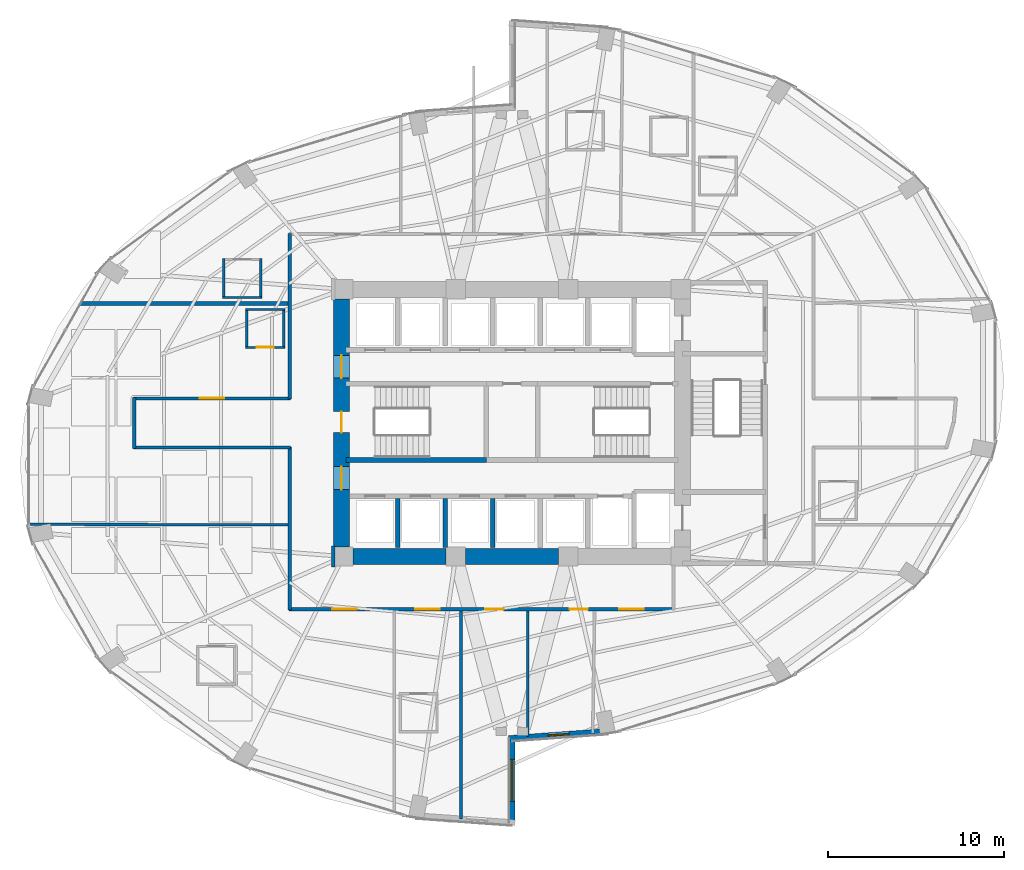
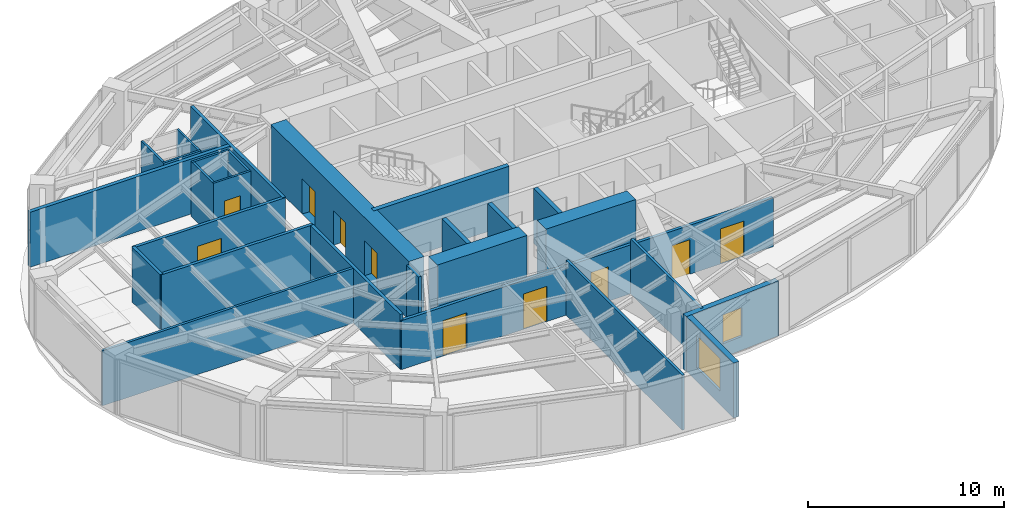
# One storey, part 20 of 25: 27 walls, 10 doors, 2 windows, 12 openings.
"""IFC4 building model written with IfcOpenShell, lengths in metres."""

from ifc_helpers import new_model, si_unit, direction, frame, frame_2d, origin, place, context, subcontext, project, spatial, rectangle, extrude, material, layer, layer_set, type_object, element, fill, save


model = new_model("IFC4")

# Units and contexts
model_context = context("Model", 3, precision=1e-05, world=origin(), true_north=direction((0.0, 1.0)))
body_context = subcontext(model_context, "Body", "Model", "MODEL_VIEW")
ifc_project = project(units=[si_unit("LENGTHUNIT", "METRE"), si_unit("AREAUNIT", "SQUARE_METRE"), si_unit("VOLUMEUNIT", "CUBIC_METRE"), si_unit("PLANEANGLEUNIT", "RADIAN"), si_unit("MASSUNIT", "GRAM", prefix="KILO")], contexts=[model_context])

# Site, building, storey
site_placement = place(None, origin())
site = spatial("IfcSite", under=ifc_project, at=site_placement, CompositionType="ELEMENT")
building_placement = place(site_placement, origin())
building = spatial("IfcBuilding", under=site, at=building_placement, Name="Lazwardi Medical Tower", CompositionType="ELEMENT")
storey_placement = place(building_placement, frame((0.0, 0.0, 28.847900390625)))
storey = spatial("IfcBuildingStorey", under=building, at=storey_placement, Name="L06", CompositionType="ELEMENT", Elevation=28.847900390625)

# Wall
ifc_material_1 = material(Name="Fire-rated gypsum board on steel stud", Category="steel")
ifc_layer_1 = layer(ifc_material_1, 0.179931640625)
ifc_layer_set_1 = layer_set([ifc_layer_1], Name="Fire-rated gypsum board on steel stud")
wall_type_1 = type_object("IfcWallType", Name="WL-COR-180", PredefinedType="PARTITIONING", material=ifc_layer_set_1)
wall_1_placement = place(storey_placement, frame((14.5, 26.56005859375, 0.0), z_axis=(0.0, 0.0, 1.0), x_axis=(0.0, 1.0, 0.0)))
element("IfcWall", 1, at=wall_1_placement, inside=storey, type_object=wall_type_1, Name="L06 Corridor partition 1", PredefinedType="PARTITIONING", context=body_context, shape_type="SweptSolid", body=[
    extrude(rectangle(XDim=2.8798828125, YDim=0.179931640625, at=frame_2d((1.43994140625, 0.0))), origin(), (0.0, 0.0, 1.0), 3.427978515625),
])

# Wall, opening, door
wall_2_placement = place(storey_placement, frame((14.4599609375, 29.39990234375, 0.0), z_axis=(0.0, 0.0, 1.0), x_axis=(1.0, 0.0, 0.0)))
wall_2 = element("IfcWall", 2, at=wall_2_placement, inside=storey, type_object=wall_type_1, Name="L06 Corridor partition 2", PredefinedType="PARTITIONING", context=body_context, shape_type="SweptSolid", body=[
    extrude(rectangle(XDim=8.929931640625, YDim=0.179931640625, at=frame_2d((4.46484375, 0.0))), origin(), (0.0, 0.0, 1.0), 3.427978515625),
])
opening_1_placement = place(wall_2_placement, frame((3.764892578125, 0.0, 0.0)))
opening_1 = element("IfcOpeningElement", 3, at=opening_1_placement, cuts=wall_2, Name="Opening D-L06-026", PredefinedType="OPENING", context=body_context, shape_type="SweptSolid", body=[
    extrude(rectangle(XDim=1.39990234375, YDim=2.199951171875, at=frame_2d((0.699951171875, 1.10009765625))), frame((0.0, 0.099853515625, 0.0), z_axis=(0.0, -1.0, 0.0), x_axis=(1.0, 0.0, 0.0)), (0.0, 0.0, 1.0), 0.199951171875),
])
ifc_material_2 = material(Name="Anti-microbial laminate hospital leaf")
door_type_1 = type_object("IfcDoorType", Name="DR-BED-1400", OperationType="NOTDEFINED", PredefinedType="DOOR", material=ifc_material_2)
door_1_placement = place(opening_1_placement, origin())
door_1 = element("IfcDoor", 4, at=door_1_placement, inside=storey, type_object=door_type_1, Name="L06 Inpatient Ward Door 13", OperationType="SINGLE_SWING_RIGHT", OverallHeight=2.199951171875, OverallWidth=1.39990234375, PredefinedType="DOOR", context=body_context, shape_type="SweptSolid", body=[
    extrude(rectangle(XDim=1.39990234375, YDim=2.199951171875, at=frame_2d((0.699951171875, 1.10009765625))), frame((0.0, 0.02490234375, 0.0), z_axis=(0.0, -1.0, 0.0), x_axis=(1.0, 0.0, 0.0)), (0.0, 0.0, 1.0), 0.050048828125),
])
fill(opening_1, door_1)

# Walls
wall_3_placement = place(storey_placement, frame((23.35009765625, 29.360107421875, 0.0), z_axis=(0.0, 0.0, 1.0), x_axis=(0.0, 1.0, 0.0)))
element("IfcWall", 5, at=wall_3_placement, inside=storey, type_object=wall_type_1, Name="L06 Corridor partition 3", PredefinedType="PARTITIONING", context=body_context, shape_type="SweptSolid", body=[
    extrude(rectangle(XDim=9.429931640625, YDim=0.179931640625, at=frame_2d((4.71484375, 0.0))), origin(), (0.0, 0.0, 1.0), 3.427978515625),
])
wall_4_placement = place(storey_placement, frame((25.830078125, 21.010009765625, 0.0), z_axis=(0.0, 0.0, 1.0), x_axis=(0.0, -1.0, 0.0)))
element("IfcWall", 6, at=wall_4_placement, inside=storey, type_object=wall_type_1, Name="L06 Corridor partition 13", PredefinedType="PARTITIONING", context=body_context, shape_type="SweptSolid", body=[
    extrude(rectangle(XDim=1.219970703125, YDim=0.179931640625, at=frame_2d((0.60986328125, 0.0))), origin(), (0.0, 0.0, 1.0), 3.427978515625),
])

# Wall, openings, doors
wall_5_placement = place(storey_placement, frame((45.239990234375, 17.39990234375, 0.0), z_axis=(0.0, 0.0, 1.0), x_axis=(-1.0, 0.0, 0.0)))
wall_5 = element("IfcWall", 7, at=wall_5_placement, inside=storey, type_object=wall_type_1, Name="L06 Corridor partition 15", PredefinedType="PARTITIONING", context=body_context, shape_type="SweptSolid", body=[
    extrude(rectangle(XDim=21.929931640625, YDim=0.179931640625, at=frame_2d((10.96484375, 0.0))), origin(), (0.0, 0.0, 1.0), 3.052978515625),
])
opening_2_placement = place(wall_5_placement, frame((18.075927734375, 0.0, 0.0)))
opening_2 = element("IfcOpeningElement", 8, at=opening_2_placement, cuts=wall_5, Name="Opening D-L06-014", PredefinedType="OPENING", context=body_context, shape_type="SweptSolid", body=[
    extrude(rectangle(XDim=1.39990234375, YDim=2.199951171875, at=frame_2d((0.699951171875, 1.10009765625))), frame((0.0, 0.099853515625, 0.0), z_axis=(0.0, -1.0, 0.0), x_axis=(1.0, 0.0, 0.0)), (0.0, 0.0, 1.0), 0.199951171875),
])
opening_3_placement = place(wall_5_placement, frame((13.340087890625, 0.0, 0.0)))
opening_3 = element("IfcOpeningElement", 9, at=opening_3_placement, cuts=wall_5, Name="Opening D-L06-015", PredefinedType="OPENING", context=body_context, shape_type="SweptSolid", body=[
    extrude(rectangle(XDim=1.39990234375, YDim=2.199951171875, at=frame_2d((0.699951171875, 1.10009765625))), frame((0.0, 0.099853515625, 0.0), z_axis=(0.0, -1.0, 0.0), x_axis=(1.0, 0.0, 0.0)), (0.0, 0.0, 1.0), 0.199951171875),
])
opening_4_placement = place(wall_5_placement, frame((9.715087890625, 0.0, 0.0)))
opening_4 = element("IfcOpeningElement", 10, at=opening_4_placement, cuts=wall_5, Name="Opening D-L06-016", PredefinedType="OPENING", context=body_context, shape_type="SweptSolid", body=[
    extrude(rectangle(XDim=1.050048828125, YDim=2.14990234375, at=frame_2d((0.52490234375, 1.074951171875))), frame((0.0, 0.099853515625, 0.0), z_axis=(0.0, -1.0, 0.0), x_axis=(1.0, 0.0, 0.0)), (0.0, 0.0, 1.0), 0.199951171875),
])
opening_5_placement = place(wall_5_placement, frame((4.91552734375, 0.0, 0.0)))
opening_5 = element("IfcOpeningElement", 11, at=opening_5_placement, cuts=wall_5, Name="Opening D-L06-017", PredefinedType="OPENING", context=body_context, shape_type="SweptSolid", body=[
    extrude(rectangle(XDim=1.050048828125, YDim=2.14990234375, at=frame_2d((0.52490234375, 1.074951171875))), frame((0.0, 0.099853515625, 0.0), z_axis=(0.0, -1.0, 0.0), x_axis=(1.0, 0.0, 0.0)), (0.0, 0.0, 1.0), 0.199951171875),
])
opening_6_placement = place(wall_5_placement, frame((1.7294921875, 0.0, 0.0)))
opening_6 = element("IfcOpeningElement", 12, at=opening_6_placement, cuts=wall_5, Name="Opening D-L06-018", PredefinedType="OPENING", context=body_context, shape_type="SweptSolid", body=[
    extrude(rectangle(XDim=1.39990234375, YDim=2.199951171875, at=frame_2d((0.699951171875, 1.10009765625))), frame((0.0, 0.099853515625, 0.0), z_axis=(0.0, -1.0, 0.0), x_axis=(1.0, 0.0, 0.0)), (0.0, 0.0, 1.0), 0.199951171875),
])
door_2_placement = place(opening_2_placement, origin())
door_2 = element("IfcDoor", 13, at=door_2_placement, inside=storey, type_object=door_type_1, Name="L06 Inpatient Ward Door 01", OperationType="SINGLE_SWING_LEFT", OverallHeight=2.199951171875, OverallWidth=1.39990234375, PredefinedType="DOOR", context=body_context, shape_type="SweptSolid", body=[
    extrude(rectangle(XDim=1.39990234375, YDim=2.199951171875, at=frame_2d((0.699951171875, 1.10009765625))), frame((0.0, 0.02490234375, 0.0), z_axis=(0.0, -1.0, 0.0), x_axis=(1.0, 0.0, 0.0)), (0.0, 0.0, 1.0), 0.050048828125),
])
fill(opening_2, door_2)
door_3_placement = place(opening_3_placement, origin())
door_3 = element("IfcDoor", 14, at=door_3_placement, inside=storey, type_object=door_type_1, Name="L06 Inpatient Ward Door 02", OperationType="SINGLE_SWING_LEFT", OverallHeight=2.199951171875, OverallWidth=1.39990234375, PredefinedType="DOOR", context=body_context, shape_type="SweptSolid", body=[
    extrude(rectangle(XDim=1.39990234375, YDim=2.199951171875, at=frame_2d((0.699951171875, 1.10009765625))), frame((0.0, 0.02490234375, 0.0), z_axis=(0.0, -1.0, 0.0), x_axis=(1.0, 0.0, 0.0)), (0.0, 0.0, 1.0), 0.050048828125),
])
fill(opening_3, door_3)
door_4_placement = place(opening_6_placement, origin())
door_4 = element("IfcDoor", 15, at=door_4_placement, inside=storey, type_object=door_type_1, Name="L06 Inpatient Ward Door 05", OperationType="SINGLE_SWING_RIGHT", OverallHeight=2.199951171875, OverallWidth=1.39990234375, PredefinedType="DOOR", context=body_context, shape_type="SweptSolid", body=[
    extrude(rectangle(XDim=1.39990234375, YDim=2.199951171875, at=frame_2d((0.699951171875, 1.10009765625))), frame((0.0, 0.02490234375, 0.0), z_axis=(0.0, -1.0, 0.0), x_axis=(1.0, 0.0, 0.0)), (0.0, 0.0, 1.0), 0.050048828125),
])
fill(opening_6, door_4)
door_type_2 = type_object("IfcDoorType", Name="DR-CLN-1050", OperationType="NOTDEFINED", PredefinedType="DOOR", material=ifc_material_2)
door_5_placement = place(opening_4_placement, origin())
door_5 = element("IfcDoor", 16, at=door_5_placement, inside=storey, type_object=door_type_2, Name="L06 Outpatient Clinic Door 03", OperationType="SINGLE_SWING_RIGHT", OverallHeight=2.14990234375, OverallWidth=1.050048828125, PredefinedType="DOOR", context=body_context, shape_type="SweptSolid", body=[
    extrude(rectangle(XDim=1.050048828125, YDim=2.14990234375, at=frame_2d((0.52490234375, 1.074951171875))), frame((0.0, 0.02490234375, 0.0), z_axis=(0.0, -1.0, 0.0), x_axis=(1.0, 0.0, 0.0)), (0.0, 0.0, 1.0), 0.050048828125),
])
fill(opening_4, door_5)
door_6_placement = place(opening_5_placement, origin())
door_6 = element("IfcDoor", 17, at=door_6_placement, inside=storey, type_object=door_type_2, Name="L06 Patient Day Lounge Door 04", OperationType="SINGLE_SWING_LEFT", OverallHeight=2.14990234375, OverallWidth=1.050048828125, PredefinedType="DOOR", context=body_context, shape_type="SweptSolid", body=[
    extrude(rectangle(XDim=1.050048828125, YDim=2.14990234375, at=frame_2d((0.52490234375, 1.074951171875))), frame((0.0, 0.02490234375, 0.0), z_axis=(0.0, -1.0, 0.0), x_axis=(1.0, 0.0, 0.0)), (0.0, 0.0, 1.0), 0.050048828125),
])
fill(opening_5, door_6)

# Walls
wall_6_placement = place(storey_placement, frame((23.35009765625, 17.360107421875, 0.0), z_axis=(0.0, 0.0, 1.0), x_axis=(0.0, 1.0, 0.0)))
element("IfcWall", 18, at=wall_6_placement, inside=storey, type_object=wall_type_1, Name="L06 Corridor partition 16", PredefinedType="PARTITIONING", context=body_context, shape_type="SweptSolid", body=[
    extrude(rectangle(XDim=9.27978515625, YDim=0.179931640625, at=frame_2d((4.639892578125, 0.0))), origin(), (0.0, 0.0, 1.0), 3.427978515625),
])
wall_7_placement = place(storey_placement, frame((23.389892578125, 26.60009765625, 0.0), z_axis=(0.0, 0.0, 1.0), x_axis=(-1.0, 0.0, 0.0)))
element("IfcWall", 19, at=wall_7_placement, inside=storey, type_object=wall_type_1, Name="L06 Corridor partition 17", PredefinedType="PARTITIONING", context=body_context, shape_type="SweptSolid", body=[
    extrude(rectangle(XDim=8.929931640625, YDim=0.179931640625, at=frame_2d((4.46484375, 0.0))), origin(), (0.0, 0.0, 1.0), 3.427978515625),
])

# Wall, openings, doors
ifc_material_3 = material(Name="Concrete C80/95", Category="concrete")
ifc_layer_2 = layer(ifc_material_3, 0.89990234375)
ifc_layer_set_2 = layer_set([ifc_layer_2], Name="Concrete C80/95")
wall_type_2 = type_object("IfcWallType", Name="WL-CORE-900", PredefinedType="SHEAR", material=ifc_layer_set_2)
wall_8_placement = place(storey_placement, frame((26.300048828125, 20.949951171875, 0.0), z_axis=(0.0, 0.0, 1.0), x_axis=(0.0, 1.0, 0.0)))
wall_8 = element("IfcWall", 20, at=wall_8_placement, inside=storey, type_object=wall_type_2, Name="Core wall CW-S1 west L06", PredefinedType="SHEAR", context=body_context, shape_type="SweptSolid", body=[
    extrude(rectangle(XDim=14.10009765625, YDim=0.89990234375, at=frame_2d((7.050048828125, 0.0))), origin(), (0.0, 0.0, 1.0), 3.648193359375),
])
opening_7_placement = place(wall_8_placement, frame((6.5, 0.0, 0.0)))
opening_7 = element("IfcOpeningElement", 21, at=opening_7_placement, cuts=wall_8, Name="Opening D-L06-027", PredefinedType="OPENING", context=body_context, shape_type="SweptSolid", body=[
    extrude(rectangle(XDim=1.199951171875, YDim=2.14990234375, at=frame_2d((0.60009765625, 1.074951171875))), frame((0.0, 0.4599609375, 0.0), z_axis=(0.0, -1.0, 0.0), x_axis=(1.0, 0.0, 0.0)), (0.0, 0.0, 1.0), 0.919921875),
])
opening_8_placement = place(wall_8_placement, frame((9.60009765625, 0.0, 0.0)))
opening_8 = element("IfcOpeningElement", 22, at=opening_8_placement, cuts=wall_8, Name="Opening D-L06-012", PredefinedType="OPENING", context=body_context, shape_type="SweptSolid", body=[
    extrude(rectangle(XDim=1.300048828125, YDim=2.199951171875, at=frame_2d((0.64990234375, 1.10009765625))), frame((0.0, 0.4599609375, 0.0), z_axis=(0.0, -1.0, 0.0), x_axis=(1.0, 0.0, 0.0)), (0.0, 0.0, 1.0), 0.919921875),
])
opening_9_placement = place(wall_8_placement, frame((3.260009765625, 0.0, 0.0)))
opening_9 = element("IfcOpeningElement", 23, at=opening_9_placement, cuts=wall_8, Name="Opening D-L06-013", PredefinedType="OPENING", context=body_context, shape_type="SweptSolid", body=[
    extrude(rectangle(XDim=1.300048828125, YDim=2.199951171875, at=frame_2d((0.64990234375, 1.10009765625))), frame((0.0, 0.4599609375, 0.0), z_axis=(0.0, -1.0, 0.0), x_axis=(1.0, 0.0, 0.0)), (0.0, 0.0, 1.0), 0.919921875),
])
ifc_material_4 = material(Name="Fire-rated steel leaf and frame", Category="steel")
door_type_3 = type_object("IfcDoorType", Name="DR-FFL-1300", OperationType="NOTDEFINED", PredefinedType="DOOR", material=ifc_material_4)
door_7_placement = place(opening_8_placement, origin())
door_7 = element("IfcDoor", 24, at=door_7_placement, inside=storey, type_object=door_type_3, Name="L06 North Lift Lobby Door", OperationType="SINGLE_SWING_LEFT", OverallHeight=2.199951171875, OverallWidth=1.300048828125, PredefinedType="DOOR", context=body_context, shape_type="SweptSolid", body=[
    extrude(rectangle(XDim=1.300048828125, YDim=2.199951171875, at=frame_2d((0.64990234375, 1.10009765625))), frame((0.0, 0.02490234375, 0.0), z_axis=(0.0, -1.0, 0.0), x_axis=(1.0, 0.0, 0.0)), (0.0, 0.0, 1.0), 0.050048828125),
])
fill(opening_8, door_7)
door_8_placement = place(opening_9_placement, origin())
door_8 = element("IfcDoor", 25, at=door_8_placement, inside=storey, type_object=door_type_3, Name="L06 South Lift Lobby Door", OperationType="SINGLE_SWING_RIGHT", OverallHeight=2.199951171875, OverallWidth=1.300048828125, PredefinedType="DOOR", context=body_context, shape_type="SweptSolid", body=[
    extrude(rectangle(XDim=1.300048828125, YDim=2.199951171875, at=frame_2d((0.64990234375, 1.10009765625))), frame((0.0, 0.02490234375, 0.0), z_axis=(0.0, -1.0, 0.0), x_axis=(1.0, 0.0, 0.0)), (0.0, 0.0, 1.0), 0.050048828125),
])
fill(opening_9, door_8)
door_type_4 = type_object("IfcDoorType", Name="DR-STR-1200", OperationType="NOTDEFINED", PredefinedType="DOOR", material=ifc_material_4)
door_9_placement = place(opening_7_placement, origin())
door_9 = element("IfcDoor", 26, at=door_9_placement, inside=storey, type_object=door_type_4, Name="L06 Exit Stair ST1 Door", OperationType="SINGLE_SWING_RIGHT", OverallHeight=2.14990234375, OverallWidth=1.199951171875, PredefinedType="DOOR", context=body_context, shape_type="SweptSolid", body=[
    extrude(rectangle(XDim=1.199951171875, YDim=2.14990234375, at=frame_2d((0.60009765625, 1.074951171875))), frame((0.0, 0.02490234375, 0.0), z_axis=(0.0, -1.0, 0.0), x_axis=(1.0, 0.0, 0.0)), (0.0, 0.0, 1.0), 0.050048828125),
])
fill(opening_7, door_9)

# Walls
wall_9_placement = place(storey_placement, frame((26.949951171875, 20.39990234375, 0.0), z_axis=(0.0, 0.0, 1.0), x_axis=(1.0, 0.0, 0.0)))
element("IfcWall", 27, at=wall_9_placement, inside=storey, type_object=wall_type_2, Name="Core wall CW-S1 S1 L06", PredefinedType="SHEAR", context=body_context, shape_type="SweptSolid", body=[
    extrude(rectangle(XDim=5.300048828125, YDim=0.89990234375, at=frame_2d((2.64990234375, 0.0))), origin(), (0.0, 0.0, 1.0), 3.648193359375),
])
wall_10_placement = place(storey_placement, frame((33.35009765625, 20.39990234375, 0.0), z_axis=(0.0, 0.0, 1.0), x_axis=(1.0, 0.0, 0.0)))
element("IfcWall", 28, at=wall_10_placement, inside=storey, type_object=wall_type_2, Name="Core wall CW-S1 S2 L06", PredefinedType="SHEAR", context=body_context, shape_type="SweptSolid", body=[
    extrude(rectangle(XDim=5.2998046875, YDim=0.89990234375, at=frame_2d((2.64990234375, 0.0))), origin(), (0.0, 0.0, 1.0), 3.648193359375),
])
ifc_material_5 = material(Name="Moisture-resistant gypsum board partition")
ifc_layer_3 = layer(ifc_material_5, 0.125)
ifc_layer_set_3 = layer_set([ifc_layer_3], Name="Moisture-resistant gypsum board partition")
wall_type_3 = type_object("IfcWallType", Name="WL-ENS-125", PredefinedType="PARTITIONING", material=ifc_layer_set_3)
wall_11_placement = place(storey_placement, frame((19.53759765625, 35.139892578125, 0.0), z_axis=(0.0, 0.0, 1.0), x_axis=(1.0, 0.0, 0.0)))
element("IfcWall", 29, at=wall_11_placement, inside=storey, type_object=wall_type_3, Name="L06 En-suite wall 12S", PredefinedType="PARTITIONING", context=body_context, shape_type="SweptSolid", body=[
    extrude(rectangle(XDim=2.219970703125, YDim=0.125, at=frame_2d((1.10986328125, 0.0))), origin(), (0.0, 0.0, 1.0), 3.427978515625),
])
for number, where, z_axis, x_axis, name in (
    (30, (21.697509765625, 35.080078125, 0.0), (0.0, 0.0, 1.0), (0.0, 1.0, 0.0), "L06 En-suite wall 12E"),
    (31, (19.597412109375, 35.080078125, 0.0), (0.0, 0.0, 1.0), (0.0, 1.0, 0.0), "L06 En-suite wall 12W"),
):
    element("IfcWall", number, at=place(storey_placement, frame(where, z_axis=z_axis, x_axis=x_axis)), inside=storey, type_object=wall_type_3, Name=name, PredefinedType="PARTITIONING", context=body_context, shape_type="SweptSolid", body=[
        extrude(rectangle(XDim=2.280029296875, YDim=0.125, at=frame_2d((1.14013671875, 0.0))), origin(), (0.0, 0.0, 1.0), 3.427978515625),
    ])
wall_12_placement = place(storey_placement, frame((20.844970703125, 34.4599609375, 0.0), z_axis=(0.0, 0.0, 1.0), x_axis=(1.0, 0.0, 0.0)))
element("IfcWall", 32, at=wall_12_placement, inside=storey, type_object=wall_type_3, Name="L06 En-suite wall 13N", PredefinedType="PARTITIONING", context=body_context, shape_type="SweptSolid", body=[
    extrude(rectangle(XDim=2.219970703125, YDim=0.125, at=frame_2d((1.10986328125, 0.0))), origin(), (0.0, 0.0, 1.0), 3.427978515625),
])

# Wall, opening, door
wall_13_placement = place(storey_placement, frame((20.844970703125, 32.300048828125, 0.0), z_axis=(0.0, 0.0, 1.0), x_axis=(1.0, 0.0, 0.0)))
wall_13 = element("IfcWall", 33, at=wall_13_placement, inside=storey, type_object=wall_type_3, Name="L06 En-suite wall 13S", PredefinedType="PARTITIONING", context=body_context, shape_type="SweptSolid", body=[
    extrude(rectangle(XDim=2.219970703125, YDim=0.125, at=frame_2d((1.10986328125, 0.0))), origin(), (0.0, 0.0, 1.0), 3.427978515625),
])
opening_10_placement = place(wall_13_placement, frame((0.635009765625, 0.0, 0.0)))
opening_10 = element("IfcOpeningElement", 34, at=opening_10_placement, cuts=wall_13, Name="Opening D-L06-009", PredefinedType="OPENING", context=body_context, shape_type="SweptSolid", body=[
    extrude(rectangle(XDim=0.949951171875, YDim=2.10009765625, at=frame_2d((0.47509765625, 1.050048828125))), frame((0.0, 0.072509765625, 0.0), z_axis=(0.0, -1.0, 0.0), x_axis=(1.0, 0.0, 0.0)), (0.0, 0.0, 1.0), 0.14501953125),
])
ifc_material_6 = material(Name="Moisture-resistant laminate door leaf")
door_type_5 = type_object("IfcDoorType", Name="DR-ENS-950", OperationType="NOTDEFINED", PredefinedType="DOOR", material=ifc_material_6)
door_10_placement = place(opening_10_placement, origin())
door_10 = element("IfcDoor", 35, at=door_10_placement, inside=storey, type_object=door_type_5, Name="L06 En-suite Door 13", OperationType="SINGLE_SWING_LEFT", OverallHeight=2.10009765625, OverallWidth=0.949951171875, PredefinedType="DOOR", context=body_context, shape_type="SweptSolid", body=[
    extrude(rectangle(XDim=0.949951171875, YDim=2.10009765625, at=frame_2d((0.47509765625, 1.050048828125))), frame((0.0, 0.02490234375, 0.0), z_axis=(0.0, -1.0, 0.0), x_axis=(1.0, 0.0, 0.0)), (0.0, 0.0, 1.0), 0.050048828125),
])
fill(opening_10, door_10)

# Walls
for number, where, z_axis, x_axis, name in (
    (36, (23.0048828125, 32.239990234375, 0.0), (0.0, 0.0, 1.0), (0.0, 1.0, 0.0), "L06 En-suite wall 13E"),
    (37, (20.905029296875, 32.239990234375, 0.0), (0.0, 0.0, 1.0), (0.0, 1.0, 0.0), "L06 En-suite wall 13W"),
):
    element("IfcWall", number, at=place(storey_placement, frame(where, z_axis=z_axis, x_axis=x_axis)), inside=storey, type_object=wall_type_3, Name=name, PredefinedType="PARTITIONING", context=body_context, shape_type="SweptSolid", body=[
        extrude(rectangle(XDim=2.280029296875, YDim=0.125, at=frame_2d((1.14013671875, 0.0))), origin(), (0.0, 0.0, 1.0), 3.427978515625),
    ])

# Wall, opening, window
ifc_material_7 = material(Name="Precast concrete C45/55", Category="concrete")
ifc_layer_4 = layer(ifc_material_7, 0.320068359375)
ifc_layer_set_4 = layer_set([ifc_layer_4], Name="Precast concrete C45/55")
wall_type_4 = type_object("IfcWallType", Name="WL-IWAN-320", PredefinedType="SOLIDWALL", material=ifc_layer_set_4)
wall_14_placement = place(storey_placement, frame((35.820556640625, 10.047119140625, 0.0), z_axis=(0.0, 0.0, 1.0), x_axis=(0.997422321809, 0.071754525696, 0.0)))
wall_14 = element("IfcWall", 38, at=wall_14_placement, inside=storey, type_object=wall_type_4, Name="L06 Iwan Portal Return Wall SE_ret", PredefinedType="SOLIDWALL", context=body_context, shape_type="SweptSolid", body=[
    extrude(rectangle(XDim=5.67529296875, YDim=0.320068359375, at=frame_2d((2.837646484375, 0.0))), origin(), (0.0, 0.0, 1.0), 3.427978515625),
])
opening_11_placement = place(wall_14_placement, frame((2.23779296875, 0.0, 0.85009765625)))
opening_11 = element("IfcOpeningElement", 39, at=opening_11_placement, cuts=wall_14, Name="Opening WN-04", PredefinedType="OPENING", context=body_context, shape_type="SweptSolid", body=[
    extrude(rectangle(XDim=1.199951171875, YDim=1.800048828125, at=frame_2d((0.60009765625, 0.89990234375))), frame((0.0, 0.169921875, 0.0), z_axis=(0.0, -1.0, 0.0), x_axis=(1.0, 0.0, 0.0)), (0.0, 0.0, 1.0), 0.340087890625),
])
ifc_material_8 = material(Name="Low-e bronze solar control double glazing", Category="glass")
window_type_1 = type_object("IfcWindowType", Name="WIN-DRUM-1200", PartitioningType="SINGLE_PANEL", PredefinedType="WINDOW", material=ifc_material_8)
window_1_placement = place(opening_11_placement, origin())
window_1 = element("IfcWindow", 40, at=window_1_placement, inside=storey, type_object=window_type_1, Name="L06 Iwan Slot Window SE_ret", OverallHeight=1.800048828125, OverallWidth=1.199951171875, PartitioningType="SINGLE_PANEL", PredefinedType="WINDOW", context=body_context, shape_type="SweptSolid", body=[
    extrude(rectangle(XDim=1.199951171875, YDim=1.800048828125, at=frame_2d((0.60009765625, 0.89990234375))), frame((0.0, 0.030029296875, 0.0), z_axis=(0.0, -1.0, 0.0), x_axis=(1.0, 0.0, 0.0)), (0.0, 0.0, 1.0), 0.06005859375),
])
fill(opening_11, window_1)

wall_15_placement = place(storey_placement, frame((36.0, 5.10009765625, 0.0), z_axis=(0.0, 0.0, 1.0), x_axis=(0.0, 1.0, 0.0)))
wall_15 = element("IfcWall", 41, at=wall_15_placement, inside=storey, type_object=wall_type_4, Name="L06 Turquoise Tilework Iwan Seam Wall S_seam", PredefinedType="SOLIDWALL", context=body_context, shape_type="SweptSolid", body=[
    extrude(rectangle(XDim=5.119873046875, YDim=0.320068359375, at=frame_2d((2.56005859375, 0.0))), origin(), (0.0, 0.0, 1.0), 3.427978515625),
])
opening_12_placement = place(wall_15_placement, frame((1.360107421875, 0.0, 0.840087890625)))
opening_12 = element("IfcOpeningElement", 42, at=opening_12_placement, cuts=wall_15, Name="Opening WN-02", PredefinedType="OPENING", context=body_context, shape_type="SweptSolid", body=[
    extrude(rectangle(XDim=2.39990234375, YDim=2.0400390625, at=frame_2d((1.199951171875, 1.02001953125))), frame((0.0, 0.169921875, 0.0), z_axis=(0.0, -1.0, 0.0), x_axis=(1.0, 0.0, 0.0)), (0.0, 0.0, 1.0), 0.340087890625),
])
window_type_2 = type_object("IfcWindowType", Name="WIN-IW-2400", PartitioningType="SINGLE_PANEL", PredefinedType="WINDOW", material=ifc_material_8)
window_2_placement = place(opening_12_placement, origin())
window_2 = element("IfcWindow", 43, at=window_2_placement, inside=storey, type_object=window_type_2, Name="L06 Iwan Seam Window S_seam", OverallHeight=2.0400390625, OverallWidth=2.39990234375, PartitioningType="SINGLE_PANEL", PredefinedType="WINDOW", context=body_context, shape_type="SweptSolid", body=[
    extrude(rectangle(XDim=2.39990234375, YDim=2.0400390625, at=frame_2d((1.199951171875, 1.02001953125))), frame((0.0, 0.030029296875, 0.0), z_axis=(0.0, -1.0, 0.0), x_axis=(1.0, 0.0, 0.0)), (0.0, 0.0, 1.0), 0.06005859375),
])
fill(opening_12, window_2)

# Walls
ifc_material_9 = material(Name="Autoclaved aerated concrete blockwork", Category="masonry")
ifc_layer_5 = layer(ifc_material_9, 0.25)
ifc_layer_set_5 = layer_set([ifc_layer_5], Name="Autoclaved aerated concrete blockwork")
wall_type_5 = type_object("IfcWallType", Name="WL-SHAFT-250", PredefinedType="SOLIDWALL", material=ifc_layer_set_5)
for number, where, z_axis, x_axis, name in (
    (44, (29.5, 20.89990234375, 0.0), (0.0, 0.0, 1.0), (0.0, 1.0, 0.0), "L06 South hoistway divider"),
    (45, (32.199951171875, 20.89990234375, 0.0), (0.0, 0.0, 1.0), (0.0, 1.0, 0.0), "L06 South hoistway divider"),
    (46, (34.89990234375, 20.89990234375, 0.0), (0.0, 0.0, 1.0), (0.0, 1.0, 0.0), "L06 South hoistway divider"),
):
    element("IfcWall", number, at=place(storey_placement, frame(where, z_axis=z_axis, x_axis=x_axis)), inside=storey, type_object=wall_type_5, Name=name, PredefinedType="SOLIDWALL", context=body_context, shape_type="SweptSolid", body=[
        extrude(rectangle(XDim=2.800048828125, YDim=0.25, at=frame_2d((1.39990234375, 0.0))), origin(), (0.0, 0.0, 1.0), 3.427978515625),
    ])
ifc_layer_6 = layer(ifc_material_1, 0.219970703125)
ifc_layer_set_6 = layer_set([ifc_layer_6], Name="Fire-rated gypsum board on steel stud")
wall_type_6 = type_object("IfcWallType", Name="WL-SMK-220", PredefinedType="PARTITIONING", material=ifc_layer_set_6)
wall_16_placement = place(storey_placement, frame((11.45068359375, 34.800048828125, 0.0), z_axis=(0.0, 0.0, 1.0), x_axis=(1.0, 0.0, 0.0)))
element("IfcWall", 47, at=wall_16_placement, inside=storey, type_object=wall_type_6, Name="L06 Room partition 2", PredefinedType="PARTITIONING", context=body_context, shape_type="SweptSolid", body=[
    extrude(rectangle(XDim=11.809326171875, YDim=0.219970703125, at=frame_2d((5.90478515625, 0.0))), origin(), (0.0, 0.0, 1.0), 3.427978515625),
])
ifc_material_10 = material(Name="Concrete C50/60", Category="concrete")
ifc_layer_7 = layer(ifc_material_10, 0.27001953125)
ifc_layer_set_7 = layer_set([ifc_layer_7], Name="Concrete C50/60")
wall_type_7 = type_object("IfcWallType", Name="WL-STR-250", PredefinedType="SHEAR", material=ifc_layer_set_7)
wall_17_placement = place(storey_placement, frame((26.550048828125, 25.885009765625, 0.0), z_axis=(0.0, 0.0, 1.0), x_axis=(1.0, 0.0, 0.0)))
element("IfcWall", 48, at=wall_17_placement, inside=storey, type_object=wall_type_7, Name="L06 ST1 South shear shaft wall SW-S1", PredefinedType="SHEAR", context=body_context, shape_type="SweptSolid", body=[
    extrude(rectangle(XDim=7.98486328125, YDim=0.27001953125, at=frame_2d((3.992431640625, 0.0))), origin(), (0.0, 0.0, 1.0), 3.648193359375),
])
ifc_material_11 = material(Name="Acoustic gypsum board partition")
ifc_layer_8 = layer(ifc_material_11, 0.14990234375)
ifc_layer_set_8 = layer_set([ifc_layer_8], Name="Acoustic gypsum board partition")
wall_type_8 = type_object("IfcWallType", Name="WL-WRD-150", PredefinedType="PARTITIONING", material=ifc_layer_set_8)
wall_18_placement = place(storey_placement, frame((8.492919921875, 22.2314453125, 0.0), z_axis=(0.0, 0.0, 1.0), x_axis=(0.999997760873, -0.002116187438, 0.0)))
element("IfcWall", 49, at=wall_18_placement, inside=storey, type_object=wall_type_8, Name="L06 Room partition 1", PredefinedType="PARTITIONING", context=body_context, shape_type="SweptSolid", body=[
    extrude(rectangle(XDim=14.76708984375, YDim=0.14990234375, at=frame_2d((7.383544921875, 0.0))), origin(), (0.0, 0.0, 1.0), 3.427978515625),
])
wall_19_placement = place(storey_placement, frame((33.10009765625, 5.47119140625, 0.0), z_axis=(0.0, 0.0, 1.0), x_axis=(0.0, 1.0, 0.0)))
element("IfcWall", 50, at=wall_19_placement, inside=storey, type_object=wall_type_8, Name="L06 Room partition 11", PredefinedType="PARTITIONING", context=body_context, shape_type="SweptSolid", body=[
    extrude(rectangle(XDim=11.8388671875, YDim=0.14990234375, at=frame_2d((5.91943359375, 0.0))), origin(), (0.0, 0.0, 1.0), 3.427978515625),
])
wall_20_placement = place(storey_placement, frame((36.89990234375, 10.149658203125, 0.0), z_axis=(0.0, 0.0, 1.0), x_axis=(0.0, 1.0, 0.0)))
element("IfcWall", 51, at=wall_20_placement, inside=storey, type_object=wall_type_8, Name="L06 Room partition 12", PredefinedType="PARTITIONING", context=body_context, shape_type="SweptSolid", body=[
    extrude(rectangle(XDim=7.160400390625, YDim=0.14990234375, at=frame_2d((3.580078125, 0.0))), origin(), (0.0, 0.0, 1.0), 3.427978515625),
])

save(model, "model.ifc")
